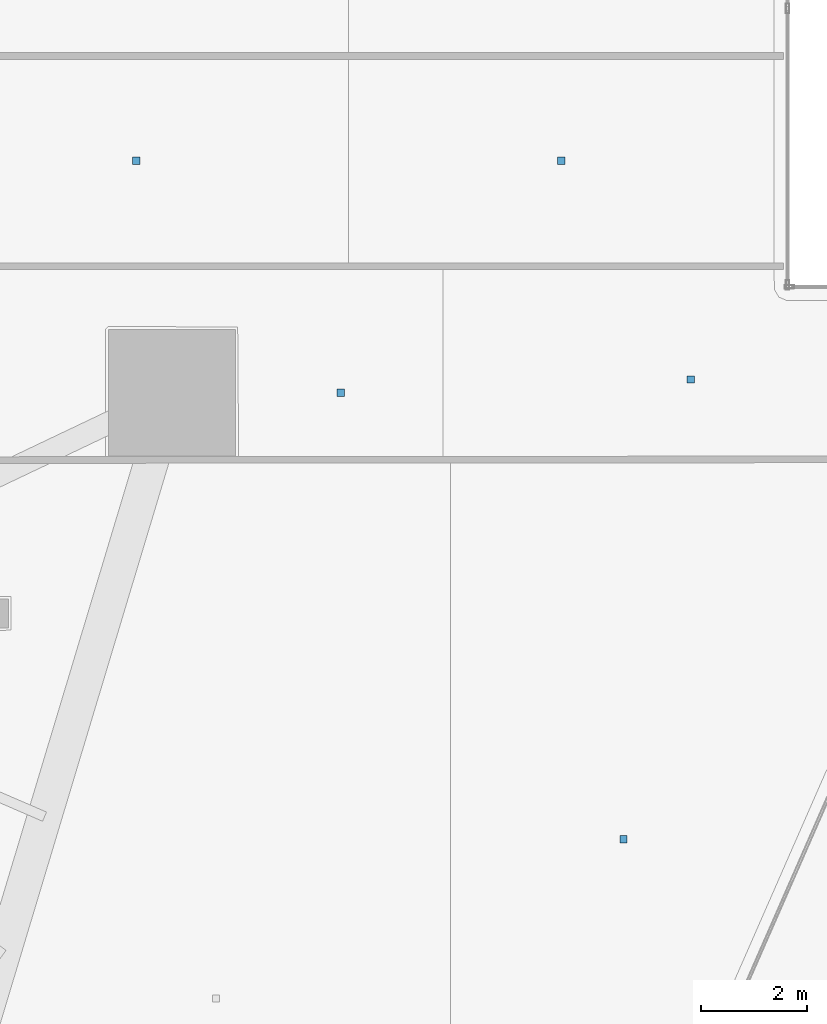
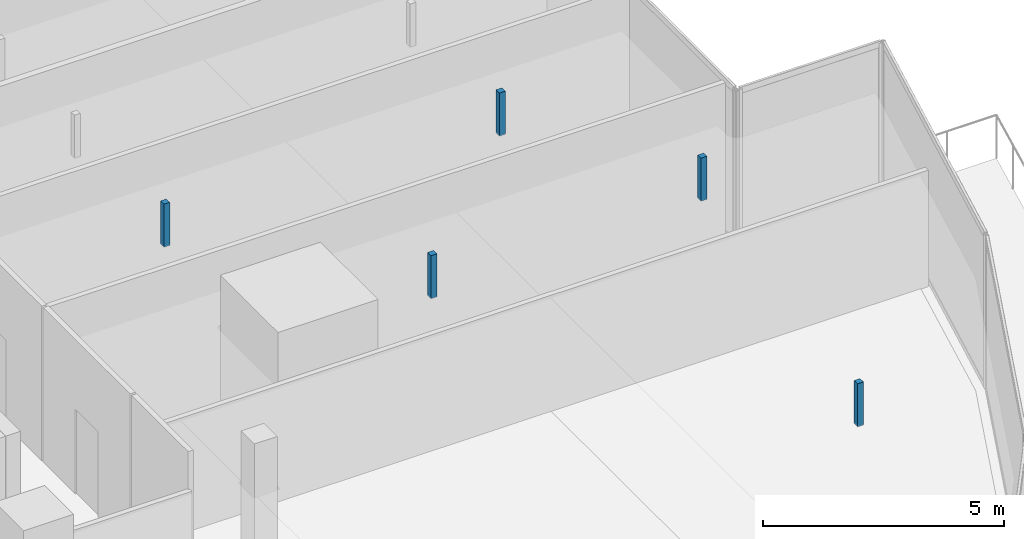
# One storey, part 41 of 52: 5 discrete accessories.
"""IFC4 building model written with IfcOpenShell, lengths in metres."""

from ifc_helpers import new_model, si_unit, direction, frame, origin, origin_2d, place, context, subcontext, project, spatial, rectangle, extrude, material, type_object, element, save


model = new_model("IFC4")

# Units and contexts
model_context = context("Model", 3, precision=1e-05, world=origin(), true_north=direction((0.0, 1.0)))
body_context = subcontext(model_context, "Body", "Model", "MODEL_VIEW")
ifc_project = project(units=[si_unit("LENGTHUNIT", "METRE"), si_unit("AREAUNIT", "SQUARE_METRE"), si_unit("VOLUMEUNIT", "CUBIC_METRE"), si_unit("PLANEANGLEUNIT", "RADIAN"), si_unit("MASSUNIT", "GRAM", prefix="KILO")], contexts=[model_context])

# Site, building, storey
site_placement = place(None, origin())
site = spatial("IfcSite", under=ifc_project, at=site_placement, CompositionType="ELEMENT")
building_placement = place(site_placement, origin())
building = spatial("IfcBuilding", under=site, at=building_placement, Name="Qorvath Tower", CompositionType="ELEMENT")
storey_placement = place(building_placement, frame((0.0, 0.0, 61.800048828125)))
storey = spatial("IfcBuildingStorey", under=building, at=storey_placement, Name="L13", CompositionType="ELEMENT", Elevation=61.800048828125)

# Discrete accessories
ifc_material = material(Name="Galvanised steel bracket", Category="steel")
discrete_accessory_type = type_object("IfcDiscreteAccessoryType", Name="DA-BRACKET", PredefinedType="BRACKET", material=ifc_material)
for number, where, z_axis, x_axis, name in (
    (1, (0.11474609375, -15.72412109375, 2.85986328125), (0.0, 0.0, 1.0), (1.0, 0.0, 0.0), "Acoustic Ceiling Suspension Hanger T1-L13-027"),
    (2, (-5.2392578125, -7.2763671875, 2.85986328125), (0.0, 0.0, 1.0), (1.0, 0.0, 0.0), "Acoustic Ceiling Suspension Hanger T1-L13-028"),
    (3, (1.383544921875, -7.0234375, 2.85986328125), (0.0, 0.0, 1.0), (1.0, 0.0, 0.0), "Acoustic Ceiling Suspension Hanger T1-L13-029"),
    (4, (-9.111572265625, -2.88525390625, 2.85986328125), (0.0, 0.0, 1.0), (1.0, 0.0, 0.0), "Acoustic Ceiling Suspension Hanger T1-L13-030"),
    (5, (-1.06103515625, -2.88525390625, 2.85986328125), (0.0, 0.0, 1.0), (1.0, 0.0, 0.0), "Acoustic Ceiling Suspension Hanger T1-L13-031"),
):
    element("IfcDiscreteAccessory", number, at=place(storey_placement, frame(where, z_axis=z_axis, x_axis=x_axis)), inside=storey, type_object=discrete_accessory_type, Name=name, PredefinedType="NOTDEFINED", context=body_context, shape_type="SweptSolid", body=[
        extrude(rectangle(XDim=0.139892578125, YDim=0.139892578125, at=origin_2d()), origin(), (0.0, 0.0, 1.0), 1.090087890625),
    ])

save(model, "model.ifc")
